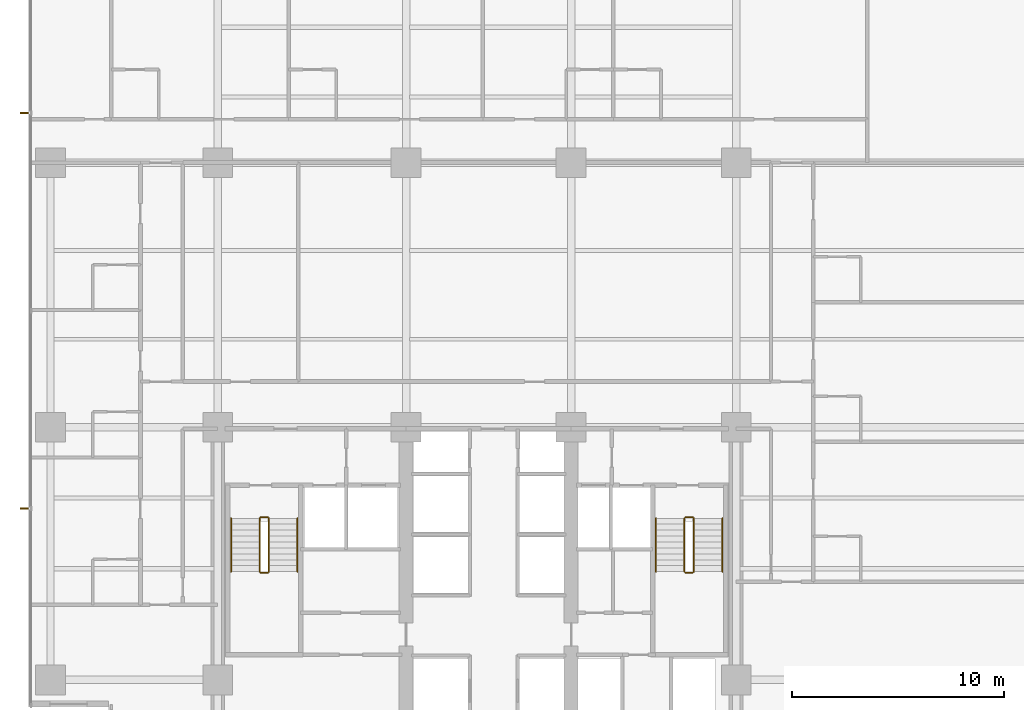
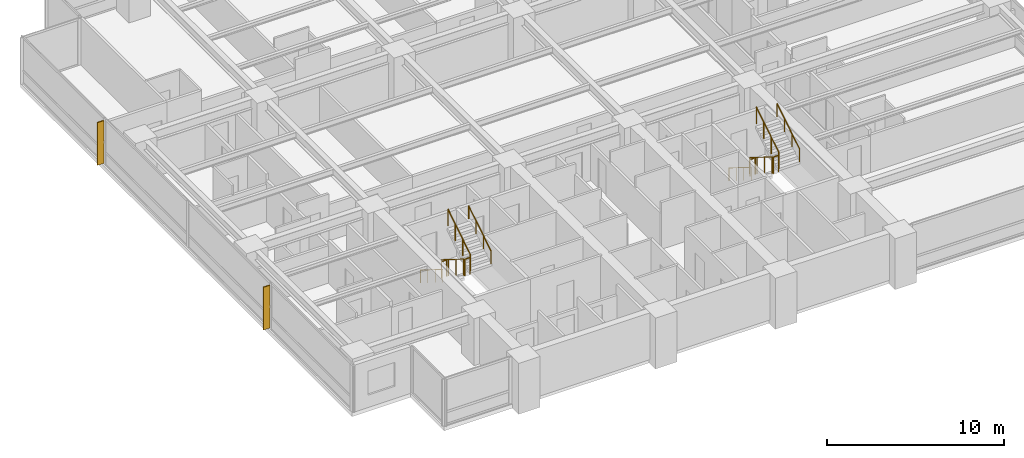
# One storey, part 15 of 16: 12 railings, 2 shading devices.
"""IFC4 building model written with IfcOpenShell, lengths in metres."""

from ifc_helpers import new_model, si_unit, direction, frame, origin, origin_2d, place, context, subcontext, project, spatial, polyline, circle, outline, extrude, material, layer, layer_set, type_object, element, save


model = new_model("IFC4")

# Units and contexts
model_context = context("Model", 3, precision=1e-05, world=origin(), true_north=direction((0.0, 1.0)))
body_context = subcontext(model_context, "Body", "Model", "MODEL_VIEW")
ifc_project = project(units=[si_unit("LENGTHUNIT", "METRE"), si_unit("AREAUNIT", "SQUARE_METRE"), si_unit("VOLUMEUNIT", "CUBIC_METRE"), si_unit("PLANEANGLEUNIT", "RADIAN"), si_unit("MASSUNIT", "GRAM", prefix="KILO")], contexts=[model_context])

# Site, building, storey
site_placement = place(None, origin())
site = spatial("IfcSite", under=ifc_project, at=site_placement, CompositionType="ELEMENT")
building_placement = place(site_placement, origin())
building = spatial("IfcBuilding", under=site, at=building_placement, Name="Qalmaran Belvedere Hotel", CompositionType="ELEMENT")
storey_placement = place(building_placement, frame((0.0, 0.0, 64.89990234375)))
storey = spatial("IfcBuildingStorey", under=building, at=storey_placement, Name="L16", CompositionType="ELEMENT", Elevation=64.89990234375)

# Shading devices
ifc_material_1 = material(Name="Anodised Bronze Aluminium", Category="aluminium")
ifc_layer = layer(ifc_material_1, 0.06494140625, Name="Anodised Bronze Aluminium")
ifc_layer_set = layer_set([ifc_layer], Name="Anodised Bronze Aluminium")
shading_device_type = type_object("IfcShadingDeviceType", Name="FIN-BRNZ-420", PredefinedType="USERDEFINED", material=ifc_layer_set)
shading_device_1_placement = place(storey_placement, frame((0.0, 0.0, 0.16015625)))
element("IfcShadingDevice", 1, at=shading_device_1_placement, inside=storey, type_object=shading_device_type, Name="L16 Bronze Fin 1", ObjectType="FIN", PredefinedType="USERDEFINED", context=body_context, shape_type="SweptSolid", body=[
    extrude(outline(polyline([(11.37744140625, 35.382568359375), (10.95751953125, 35.382568359375), (10.95751953125, 35.3173828125), (11.37744140625, 35.3173828125), (11.37744140625, 35.382568359375)])), origin(), (0.0, 0.0, 1.0), 2.93994140625),
])
shading_device_2_placement = place(storey_placement, frame((0.0, 0.0, 0.16015625)))
element("IfcShadingDevice", 2, at=shading_device_2_placement, inside=storey, type_object=shading_device_type, Name="L16 Bronze Fin 3", ObjectType="FIN", PredefinedType="USERDEFINED", context=body_context, shape_type="SweptSolid", body=[
    extrude(outline(polyline([(11.37744140625, 16.6826171875), (10.95751953125, 16.6826171875), (10.95751953125, 16.617431640625), (11.37744140625, 16.617431640625), (11.37744140625, 16.6826171875)])), origin(), (0.0, 0.0, 1.0), 2.93994140625),
])

# Railings
ifc_material_2 = material(Name="Stainless Steel 1.4401", Category="steel")
railing_type_1 = type_object("IfcRailingType", Name="RLG-STAIR-GUARD-1150", PredefinedType="GUARDRAIL", material=ifc_material_2)
railing_1_placement = place(storey_placement, frame((22.280029296875, 16.18994140625, 0.175048828125)))
element("IfcRailing", 3, at=railing_1_placement, inside=storey, type_object=railing_type_1, Name="L16 ST-1 stair guard 1", PredefinedType="GUARDRAIL", context=body_context, shape_type="SweptSolid", body=[
    extrude(circle(Radius=0.02392578125, at=origin_2d()), frame((0.0, 0.0, 1.1259765625), z_axis=(0.0, -0.848007534815, 0.529984170421), x_axis=(1.0, 0.0, 0.0)), (0.0, 0.0, 1.0), 2.9716796875),
    extrude(circle(Radius=0.02099609375, at=origin_2d()), origin(), (0.0, 0.0, 1.0), 1.101806640625),
    extrude(circle(Radius=0.02099609375, at=origin_2d()), frame((0.0, -0.840087890625, 0.52490234375)), (0.0, 0.0, 1.0), 1.101806640625),
    extrude(circle(Radius=0.02099609375, at=origin_2d()), frame((0.0, -1.679931640625, 1.050048828125)), (0.0, 0.0, 1.0), 1.101806640625),
    extrude(circle(Radius=0.02099609375, at=origin_2d()), frame((0.0, -2.52001953125, 1.574951171875)), (0.0, 0.0, 1.0), 1.101806640625),
])
railing_2_placement = place(storey_placement, frame((22.330078125, 13.6201171875, 1.75)))
element("IfcRailing", 4, at=railing_2_placement, inside=storey, type_object=railing_type_1, Name="L16 ST-1 stair guard 2", PredefinedType="GUARDRAIL", context=body_context, shape_type="SweptSolid", body=[
    extrude(circle(Radius=0.02392578125, at=origin_2d()), frame((0.0, 0.0, 1.1259765625), z_axis=(1.0, 0.0, 0.0), x_axis=(0.0, 1.0, 0.0)), (0.0, 0.0, 1.0), 0.33984375),
    extrude(circle(Radius=0.02099609375, at=origin_2d()), origin(), (0.0, 0.0, 1.0), 1.101806640625),
    extrude(circle(Radius=0.02099609375, at=origin_2d()), frame((0.33984375, 0.0, 0.0)), (0.0, 0.0, 1.0), 1.101806640625),
])
railing_3_placement = place(storey_placement, frame((22.719970703125, 13.669921875, 1.925048828125)))
element("IfcRailing", 5, at=railing_3_placement, inside=storey, type_object=railing_type_1, Name="L16 ST-1 stair guard 3", PredefinedType="GUARDRAIL", context=body_context, shape_type="SweptSolid", body=[
    extrude(circle(Radius=0.02392578125, at=origin_2d()), frame((0.0, 0.0, 1.1259765625), z_axis=(0.0, 0.848007534815, 0.529984170421), x_axis=(-1.0, 0.0, 0.0)), (0.0, 0.0, 1.0), 2.9716796875),
    extrude(circle(Radius=0.02099609375, at=origin_2d()), origin(), (0.0, 0.0, 1.0), 1.101806640625),
    extrude(circle(Radius=0.02099609375, at=origin_2d()), frame((0.0, 0.840087890625, 0.52490234375)), (0.0, 0.0, 1.0), 1.101806640625),
    extrude(circle(Radius=0.02099609375, at=origin_2d()), frame((0.0, 1.679931640625, 1.050048828125)), (0.0, 0.0, 1.0), 1.101806640625),
    extrude(circle(Radius=0.02099609375, at=origin_2d()), frame((0.0, 2.52001953125, 1.574951171875)), (0.0, 0.0, 1.0), 1.101806640625),
])
railing_4_placement = place(storey_placement, frame((22.330078125, 16.239990234375, 0.0)))
element("IfcRailing", 6, at=railing_4_placement, inside=storey, type_object=railing_type_1, Name="L16 ST-1 stair guard 4", PredefinedType="GUARDRAIL", context=body_context, shape_type="SweptSolid", body=[
    extrude(circle(Radius=0.02392578125, at=origin_2d()), frame((0.0, 0.0, 1.1259765625), z_axis=(1.0, 0.0, 0.0), x_axis=(0.0, 1.0, 0.0)), (0.0, 0.0, 1.0), 0.33984375),
    extrude(circle(Radius=0.02099609375, at=origin_2d()), origin(), (0.0, 0.0, 1.0), 1.101806640625),
    extrude(circle(Radius=0.02099609375, at=origin_2d()), frame((0.33984375, 0.0, 0.0)), (0.0, 0.0, 1.0), 1.101806640625),
])
railing_5_placement = place(storey_placement, frame((42.360107421875, 16.18994140625, 0.175048828125)))
element("IfcRailing", 7, at=railing_5_placement, inside=storey, type_object=railing_type_1, Name="L16 ST-2 stair guard 1", PredefinedType="GUARDRAIL", context=body_context, shape_type="SweptSolid", body=[
    extrude(circle(Radius=0.02392578125, at=origin_2d()), frame((0.0, 0.0, 1.1259765625), z_axis=(0.0, -0.848007534815, 0.529984170421), x_axis=(1.0, 0.0, 0.0)), (0.0, 0.0, 1.0), 2.9716796875),
    extrude(circle(Radius=0.02099609375, at=origin_2d()), origin(), (0.0, 0.0, 1.0), 1.101806640625),
    extrude(circle(Radius=0.02099609375, at=origin_2d()), frame((0.0, -0.840087890625, 0.52490234375)), (0.0, 0.0, 1.0), 1.101806640625),
    extrude(circle(Radius=0.02099609375, at=origin_2d()), frame((0.0, -1.679931640625, 1.050048828125)), (0.0, 0.0, 1.0), 1.101806640625),
    extrude(circle(Radius=0.02099609375, at=origin_2d()), frame((0.0, -2.52001953125, 1.574951171875)), (0.0, 0.0, 1.0), 1.101806640625),
])
railing_6_placement = place(storey_placement, frame((42.409912109375, 13.6201171875, 1.75)))
element("IfcRailing", 8, at=railing_6_placement, inside=storey, type_object=railing_type_1, Name="L16 ST-2 stair guard 2", PredefinedType="GUARDRAIL", context=body_context, shape_type="SweptSolid", body=[
    extrude(circle(Radius=0.02392578125, at=origin_2d()), frame((0.0, 0.0, 1.1259765625), z_axis=(1.0, 0.0, 0.0), x_axis=(0.0, 1.0, 0.0)), (0.0, 0.0, 1.0), 0.340087890625),
    extrude(circle(Radius=0.02099609375, at=origin_2d()), origin(), (0.0, 0.0, 1.0), 1.101806640625),
    extrude(circle(Radius=0.02099609375, at=origin_2d()), frame((0.340087890625, 0.0, 0.0)), (0.0, 0.0, 1.0), 1.101806640625),
])
railing_7_placement = place(storey_placement, frame((42.800048828125, 13.669921875, 1.925048828125)))
element("IfcRailing", 9, at=railing_7_placement, inside=storey, type_object=railing_type_1, Name="L16 ST-2 stair guard 3", PredefinedType="GUARDRAIL", context=body_context, shape_type="SweptSolid", body=[
    extrude(circle(Radius=0.02392578125, at=origin_2d()), frame((0.0, 0.0, 1.1259765625), z_axis=(0.0, 0.848007534815, 0.529984170421), x_axis=(-1.0, 0.0, 0.0)), (0.0, 0.0, 1.0), 2.9716796875),
    extrude(circle(Radius=0.02099609375, at=origin_2d()), origin(), (0.0, 0.0, 1.0), 1.101806640625),
    extrude(circle(Radius=0.02099609375, at=origin_2d()), frame((0.0, 0.840087890625, 0.52490234375)), (0.0, 0.0, 1.0), 1.101806640625),
    extrude(circle(Radius=0.02099609375, at=origin_2d()), frame((0.0, 1.679931640625, 1.050048828125)), (0.0, 0.0, 1.0), 1.101806640625),
    extrude(circle(Radius=0.02099609375, at=origin_2d()), frame((0.0, 2.52001953125, 1.574951171875)), (0.0, 0.0, 1.0), 1.101806640625),
])
railing_8_placement = place(storey_placement, frame((42.409912109375, 16.239990234375, 0.0)))
element("IfcRailing", 10, at=railing_8_placement, inside=storey, type_object=railing_type_1, Name="L16 ST-2 stair guard 4", PredefinedType="GUARDRAIL", context=body_context, shape_type="SweptSolid", body=[
    extrude(circle(Radius=0.02392578125, at=origin_2d()), frame((0.0, 0.0, 1.1259765625), z_axis=(1.0, 0.0, 0.0), x_axis=(0.0, 1.0, 0.0)), (0.0, 0.0, 1.0), 0.340087890625),
    extrude(circle(Radius=0.02099609375, at=origin_2d()), origin(), (0.0, 0.0, 1.0), 1.101806640625),
    extrude(circle(Radius=0.02099609375, at=origin_2d()), frame((0.340087890625, 0.0, 0.0)), (0.0, 0.0, 1.0), 1.101806640625),
])
railing_type_2 = type_object("IfcRailingType", Name="RLG-STAIR-HAND-910", PredefinedType="HANDRAIL", material=ifc_material_2)
railing_9_placement = place(storey_placement, frame((20.929931640625, 16.18994140625, 0.175048828125)))
element("IfcRailing", 11, at=railing_9_placement, inside=storey, type_object=railing_type_2, Name="L16 ST-1 stair handrail 1", PredefinedType="HANDRAIL", context=body_context, shape_type="SweptSolid", body=[
    extrude(circle(Radius=0.02392578125, at=origin_2d()), frame((0.0, 0.0, 0.8857421875), z_axis=(0.0, -0.848007534815, 0.529984170421), x_axis=(1.0, 0.0, 0.0)), (0.0, 0.0, 1.0), 2.9716796875),
    extrude(circle(Radius=0.02099609375, at=origin_2d()), origin(), (0.0, 0.0, 1.0), 0.86181640625),
    extrude(circle(Radius=0.02099609375, at=origin_2d()), frame((0.0, -0.840087890625, 0.52490234375)), (0.0, 0.0, 1.0), 0.86181640625),
    extrude(circle(Radius=0.02099609375, at=origin_2d()), frame((0.0, -1.679931640625, 1.050048828125)), (0.0, 0.0, 1.0), 0.86181640625),
    extrude(circle(Radius=0.02099609375, at=origin_2d()), frame((0.0, -2.52001953125, 1.574951171875)), (0.0, 0.0, 1.0), 0.86181640625),
])
railing_10_placement = place(storey_placement, frame((24.070068359375, 13.669921875, 1.925048828125)))
element("IfcRailing", 12, at=railing_10_placement, inside=storey, type_object=railing_type_2, Name="L16 ST-1 stair handrail 2", PredefinedType="HANDRAIL", context=body_context, shape_type="SweptSolid", body=[
    extrude(circle(Radius=0.02392578125, at=origin_2d()), frame((0.0, 0.0, 0.8857421875), z_axis=(0.0, 0.848007534815, 0.529984170421), x_axis=(-1.0, 0.0, 0.0)), (0.0, 0.0, 1.0), 2.9716796875),
    extrude(circle(Radius=0.02099609375, at=origin_2d()), origin(), (0.0, 0.0, 1.0), 0.86181640625),
    extrude(circle(Radius=0.02099609375, at=origin_2d()), frame((0.0, 0.840087890625, 0.52490234375)), (0.0, 0.0, 1.0), 0.86181640625),
    extrude(circle(Radius=0.02099609375, at=origin_2d()), frame((0.0, 1.679931640625, 1.050048828125)), (0.0, 0.0, 1.0), 0.86181640625),
    extrude(circle(Radius=0.02099609375, at=origin_2d()), frame((0.0, 2.52001953125, 1.574951171875)), (0.0, 0.0, 1.0), 0.86181640625),
])
railing_11_placement = place(storey_placement, frame((41.010009765625, 16.18994140625, 0.175048828125)))
element("IfcRailing", 13, at=railing_11_placement, inside=storey, type_object=railing_type_2, Name="L16 ST-2 stair handrail 1", PredefinedType="HANDRAIL", context=body_context, shape_type="SweptSolid", body=[
    extrude(circle(Radius=0.02392578125, at=origin_2d()), frame((0.0, 0.0, 0.8857421875), z_axis=(0.0, -0.848007534815, 0.529984170421), x_axis=(1.0, 0.0, 0.0)), (0.0, 0.0, 1.0), 2.9716796875),
    extrude(circle(Radius=0.02099609375, at=origin_2d()), origin(), (0.0, 0.0, 1.0), 0.86181640625),
    extrude(circle(Radius=0.02099609375, at=origin_2d()), frame((0.0, -0.840087890625, 0.52490234375)), (0.0, 0.0, 1.0), 0.86181640625),
    extrude(circle(Radius=0.02099609375, at=origin_2d()), frame((0.0, -1.679931640625, 1.050048828125)), (0.0, 0.0, 1.0), 0.86181640625),
    extrude(circle(Radius=0.02099609375, at=origin_2d()), frame((0.0, -2.52001953125, 1.574951171875)), (0.0, 0.0, 1.0), 0.86181640625),
])
railing_12_placement = place(storey_placement, frame((44.14990234375, 13.669921875, 1.925048828125)))
element("IfcRailing", 14, at=railing_12_placement, inside=storey, type_object=railing_type_2, Name="L16 ST-2 stair handrail 2", PredefinedType="HANDRAIL", context=body_context, shape_type="SweptSolid", body=[
    extrude(circle(Radius=0.02392578125, at=origin_2d()), frame((0.0, 0.0, 0.8857421875), z_axis=(0.0, 0.848007534815, 0.529984170421), x_axis=(-1.0, 0.0, 0.0)), (0.0, 0.0, 1.0), 2.9716796875),
    extrude(circle(Radius=0.02099609375, at=origin_2d()), origin(), (0.0, 0.0, 1.0), 0.86181640625),
    extrude(circle(Radius=0.02099609375, at=origin_2d()), frame((0.0, 0.840087890625, 0.52490234375)), (0.0, 0.0, 1.0), 0.86181640625),
    extrude(circle(Radius=0.02099609375, at=origin_2d()), frame((0.0, 1.679931640625, 1.050048828125)), (0.0, 0.0, 1.0), 0.86181640625),
    extrude(circle(Radius=0.02099609375, at=origin_2d()), frame((0.0, 2.52001953125, 1.574951171875)), (0.0, 0.0, 1.0), 0.86181640625),
])

save(model, "model.ifc")
